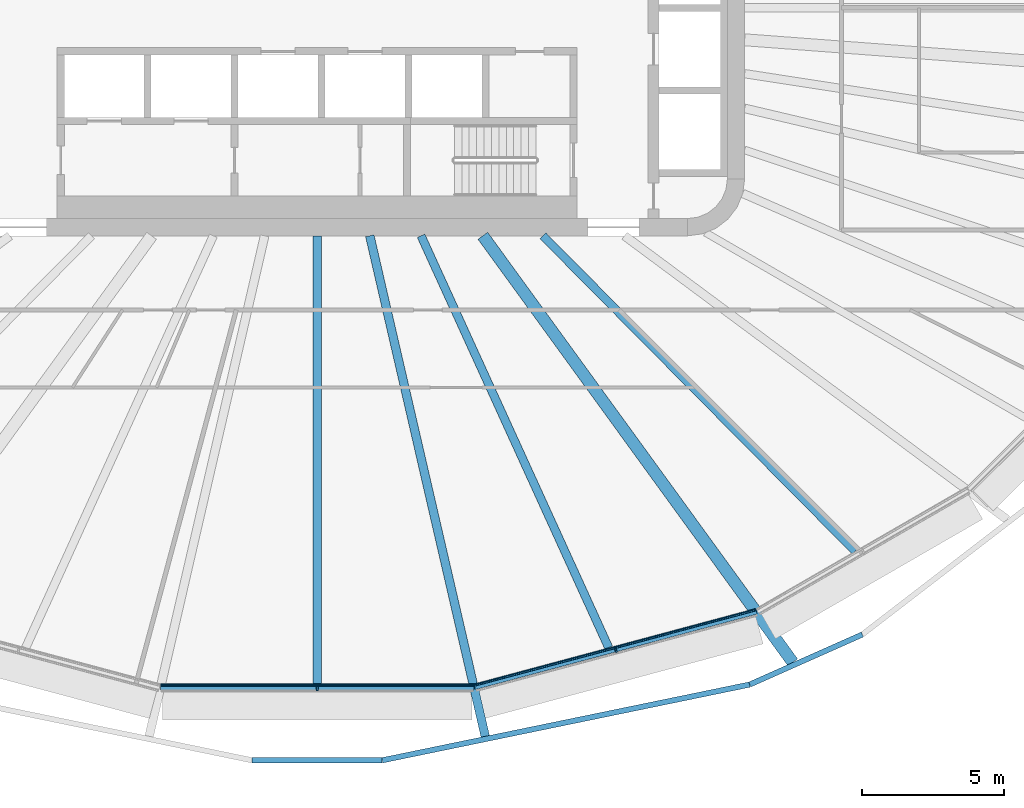
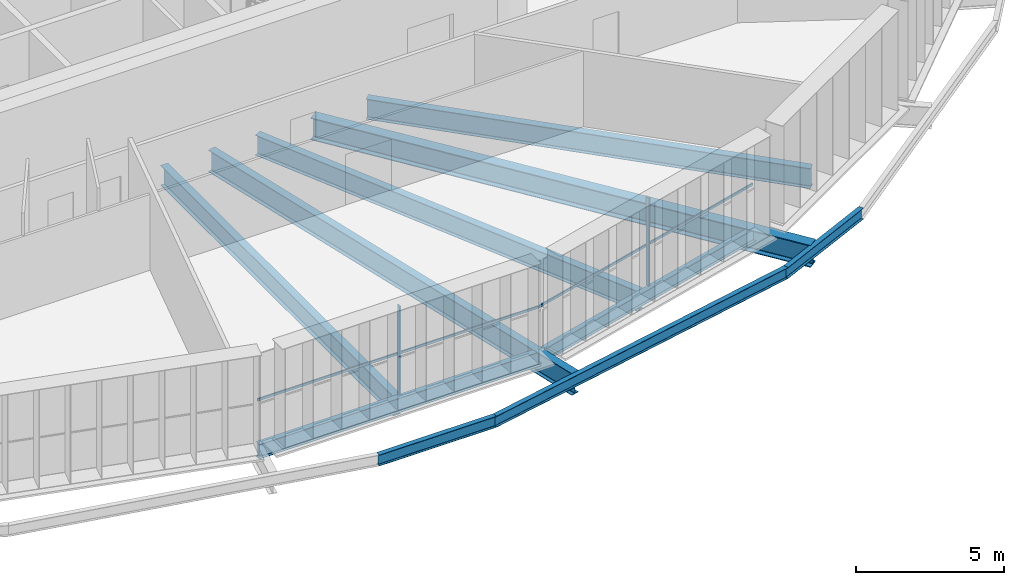
# One storey, part 4 of 25: 10 beams, 4 members, 2 elements without a shape of their own.
"""IFC4 building model written with IfcOpenShell, lengths in metres."""

from ifc_helpers import new_model, si_unit, direction, frame, origin, origin_2d, place, context, subcontext, project, spatial, rectangle, i_section, extrude, material, layer, layer_set, material_profile, profile_set, type_object, element, aggregate, save


model = new_model("IFC4")

# Units and contexts
model_context = context("Model", 3, precision=1e-05, world=origin(), true_north=direction((0.0, 1.0)))
body_context = subcontext(model_context, "Body", "Model", "MODEL_VIEW")
ifc_project = project(units=[si_unit("LENGTHUNIT", "METRE"), si_unit("AREAUNIT", "SQUARE_METRE"), si_unit("VOLUMEUNIT", "CUBIC_METRE"), si_unit("PLANEANGLEUNIT", "RADIAN"), si_unit("MASSUNIT", "GRAM", prefix="KILO")], contexts=[model_context])

# Site, building, storey
site_placement = place(None, origin())
site = spatial("IfcSite", under=ifc_project, at=site_placement, CompositionType="ELEMENT")
building_placement = place(site_placement, origin())
building = spatial("IfcBuilding", under=site, at=building_placement, Name="Sahrelin Media Tower", CompositionType="ELEMENT")
storey_placement = place(building_placement, frame((0.0, 0.0, 110.39990234375)))
storey = spatial("IfcBuildingStorey", under=building, at=storey_placement, Name="L21", CompositionType="ELEMENT", Elevation=110.39990234375)

# Beams
ifc_material_1 = material(Name="Steel S355", Category="steel")
ifc_material_profile_1 = material_profile(ifc_material_1, i_section(OverallWidth=0.208740234375, OverallDepth=0.5283203125, WebThickness=0.009521484375, FlangeThickness=0.01318359375, FilletRadius=0.0126953125, at=origin_2d()), Name="UB 533x210x82")
ifc_profile_set_1 = profile_set([ifc_material_profile_1], Name="Steel S355")
beam_type_1 = type_object("IfcBeamType", Name="Edge beam EB6", PredefinedType="BEAM", material=ifc_profile_set_1)
beam_1_placement = place(storey_placement, frame((15.41162109375, -21.17431640625, -0.4140625), z_axis=(-0.965929419345, -0.258805635261, 0.0), x_axis=(0.258805635261, -0.965929419345, 0.0)))
element("IfcBeam", 1, at=beam_1_placement, inside=storey, type_object=beam_type_1, Name="Edge beam L21-06", PredefinedType="BEAM", context=body_context, shape_type="SweptSolid", body=[
    extrude(i_section(OverallWidth=0.208740234375, OverallDepth=0.5283203125, WebThickness=0.009521484375, FlangeThickness=0.01318359375, FilletRadius=0.0126953125, at=origin_2d()), origin(), (0.0, 0.0, 1.0), 10.235107421875),
])
ifc_material_profile_2 = material_profile(ifc_material_1, i_section(OverallWidth=0.2275390625, OverallDepth=0.6025390625, WebThickness=0.010498046875, FlangeThickness=0.014892578125, FilletRadius=0.0126953125, at=origin_2d()), Name="UB 610x229x101")
ifc_profile_set_2 = profile_set([ifc_material_profile_2], Name="Steel S355")
beam_type_2 = type_object("IfcBeamType", Name="Edge beam EB7", PredefinedType="BEAM", material=ifc_profile_set_2)
beam_2_placement = place(storey_placement, frame((5.49658203125, -23.8271484375, -0.451171875), z_axis=(-1.0, 0.0, 0.0), x_axis=(0.0, -1.0, 0.0)))
element("IfcBeam", 2, at=beam_2_placement, inside=storey, type_object=beam_type_2, Name="Edge beam L21-07", PredefinedType="BEAM", context=body_context, shape_type="SweptSolid", body=[
    extrude(i_section(OverallWidth=0.2275390625, OverallDepth=0.6025390625, WebThickness=0.010498046875, FlangeThickness=0.014892578125, FilletRadius=0.0126953125, at=origin_2d()), origin(), (0.0, 0.0, 1.0), 10.9931640625),
])

# Curtain wall, member
ifc_material_2 = material(Name="Champagne anodised aluminium 6063-T6", Category="aluminium")
ifc_layer = layer(ifc_material_2, 0.14990234375)
ifc_layer_set = layer_set([ifc_layer], Name="Tower ribbon curtain wall")
curtain_wall_type = type_object("IfcCurtainWallType", Name="Tower ribbon curtain wall", PredefinedType="NOTDEFINED", material=ifc_layer_set)
curtain_wall_1_placement = place(storey_placement, frame((0.0, -23.97705078125, 0.0), z_axis=(0.0, 0.0, 1.0), x_axis=(1.0, 0.0, 0.0)))
curtain_wall_1 = element("IfcCurtainWall", 3, at=curtain_wall_1_placement, inside=storey, type_object=curtain_wall_type, Name="L21:CW:L21-18", PredefinedType="NOTDEFINED")
ifc_material_profile_3 = material_profile(ifc_material_2, rectangle(XDim=0.06005859375, YDim=0.14990234375, at=origin_2d()), Name="Mullion 60x150")
ifc_profile_set_3 = profile_set([ifc_material_profile_3], Name="Champagne anodised aluminium 6063-T6")
member_type_1 = type_object("IfcMemberType", Name="Mullion 60x150 CW1", PredefinedType="MULLION", material=ifc_profile_set_3)
member_1_placement = place(storey_placement, frame((0.0, -23.882080078125, 0.0), z_axis=(0.0, 0.0, 1.0), x_axis=(1.0, 0.0, 0.0)))
member_1 = element("IfcMember", 4, at=member_1_placement, type_object=member_type_1, Name="L21:CWM:L21-18", PredefinedType="MULLION", context=body_context, shape_type="SweptSolid", body=[
    extrude(rectangle(XDim=0.06005859375, YDim=0.14990234375, at=origin_2d()), origin(), (0.0, 0.0, 1.0), 3.648681640625),
])

curtain_wall_2_placement = place(storey_placement, frame((10.50732421875, -22.643798828125, 0.0), z_axis=(0.0, 0.0, 1.0), x_axis=(1.0, 0.0, 0.0)))
curtain_wall_2 = element("IfcCurtainWall", 5, at=curtain_wall_2_placement, inside=storey, type_object=curtain_wall_type, Name="L21:CW:L21-19", PredefinedType="NOTDEFINED")
member_2_placement = place(storey_placement, frame((10.482666015625, -22.552001953125, 0.0), z_axis=(0.0, 0.0, 1.0), x_axis=(0.965926278012, 0.258817359244, 0.0)))
member_2 = element("IfcMember", 6, at=member_2_placement, type_object=member_type_1, Name="L21:CWM:L21-19", PredefinedType="MULLION", context=body_context, shape_type="SweptSolid", body=[
    extrude(rectangle(XDim=0.06005859375, YDim=0.14990234375, at=origin_2d()), origin(), (0.0, 0.0, 1.0), 3.648681640625),
])

# Beams
ifc_material_profile_4 = material_profile(ifc_material_1, i_section(OverallWidth=0.30322265625, OverallDepth=0.903076171875, WebThickness=0.01513671875, FlangeThickness=0.020263671875, FilletRadius=0.01904296875, at=origin_2d()), Name="UB 914x305x201")
ifc_profile_set_4 = profile_set([ifc_material_profile_4], Name="Steel S355")
beam_type_3 = type_object("IfcBeamType", Name="Radial primary beam PB11", PredefinedType="BEAM", material=ifc_profile_set_4)
beam_3_placement = place(storey_placement, frame((1.845458984375, -8.0, -0.601318359375), z_axis=(0.224769488675, -0.974411964705, 0.0), x_axis=(0.974411964705, 0.224769488675, 0.0)))
element("IfcBeam", 7, at=beam_3_placement, inside=storey, type_object=beam_type_3, Name="Radial beam L21-19", PredefinedType="BEAM", context=body_context, shape_type="SweptSolid", body=[
    extrude(i_section(OverallWidth=0.30322265625, OverallDepth=0.903076171875, WebThickness=0.01513671875, FlangeThickness=0.020263671875, FilletRadius=0.01904296875, at=origin_2d()), origin(), (0.0, 0.0, 1.0), 18.025146484375),
])
ifc_material_profile_5 = material_profile(ifc_material_1, i_section(OverallWidth=0.41845703125, OverallDepth=0.911865234375, WebThickness=0.019287109375, FlangeThickness=0.031982421875, FilletRadius=0.024169921875, at=origin_2d()), Name="UB 914x419x343")
ifc_profile_set_5 = profile_set([ifc_material_profile_5], Name="Steel S355")
beam_type_4 = type_object("IfcBeamType", Name="Radial primary beam PB12", PredefinedType="BEAM", material=ifc_profile_set_5)
beam_4_placement = place(storey_placement, frame((5.8125, -8.0, -0.605712890625), z_axis=(0.587808442144, -0.809000145454, 0.0), x_axis=(0.809000145454, 0.587808442144, 0.0)))
element("IfcBeam", 8, at=beam_4_placement, inside=storey, type_object=beam_type_4, Name="Radial beam L21-20", PredefinedType="BEAM", context=body_context, shape_type="SweptSolid", body=[
    extrude(i_section(OverallWidth=0.41845703125, OverallDepth=0.911865234375, WebThickness=0.019287109375, FlangeThickness=0.031982421875, FilletRadius=0.024169921875, at=origin_2d()), origin(), (0.0, 0.0, 1.0), 18.505615234375),
])
ifc_material_profile_6 = material_profile(ifc_material_1, i_section(OverallWidth=0.291748046875, OverallDepth=0.8349609375, WebThickness=0.013916015625, FlangeThickness=0.018798828125, FilletRadius=0.017822265625, at=origin_2d()), Name="UB 838x292x176")
ifc_profile_set_6 = profile_set([ifc_material_profile_6], Name="Steel S355")
beam_type_5 = type_object("IfcBeamType", Name="Radial secondary beam SB10", PredefinedType="BEAM", material=ifc_profile_set_6)
beam_5_placement = place(storey_placement, frame((0.0, -8.0, -0.5673828125), z_axis=(0.0, -1.0, 0.0), x_axis=(1.0, 0.0, 0.0)))
element("IfcBeam", 9, at=beam_5_placement, inside=storey, type_object=beam_type_5, Name="Secondary beam L21-18", PredefinedType="BEAM", context=body_context, shape_type="SweptSolid", body=[
    extrude(i_section(OverallWidth=0.291748046875, OverallDepth=0.8349609375, WebThickness=0.013916015625, FlangeThickness=0.018798828125, FilletRadius=0.017822265625, at=origin_2d()), origin(), (0.0, 0.0, 1.0), 15.71337890625),
])
beam_6_placement = place(storey_placement, frame((3.64501953125, -8.0, -0.5673828125), z_axis=(0.414626132753, -0.909991851633, 0.0), x_axis=(0.909991851633, 0.414626132753, 0.0)))
element("IfcBeam", 10, at=beam_6_placement, inside=storey, type_object=beam_type_5, Name="Secondary beam L21-19", PredefinedType="BEAM", context=body_context, shape_type="SweptSolid", body=[
    extrude(i_section(OverallWidth=0.291748046875, OverallDepth=0.8349609375, WebThickness=0.013916015625, FlangeThickness=0.018798828125, FilletRadius=0.017822265625, at=origin_2d()), origin(), (0.0, 0.0, 1.0), 15.884033203125),
])
beam_7_placement = place(storey_placement, frame((7.92138671875, -8.0, -0.5673828125), z_axis=(0.703602310212, -0.7105939692, 0.0), x_axis=(0.7105939692, 0.703602310212, 0.0)))
element("IfcBeam", 11, at=beam_7_placement, inside=storey, type_object=beam_type_5, Name="Secondary beam L21-20", PredefinedType="BEAM", context=body_context, shape_type="SweptSolid", body=[
    extrude(i_section(OverallWidth=0.291748046875, OverallDepth=0.8349609375, WebThickness=0.013916015625, FlangeThickness=0.018798828125, FilletRadius=0.017822265625, at=origin_2d()), origin(), (0.0, 0.0, 1.0), 15.57373046875),
])
ifc_material_profile_7 = material_profile(ifc_material_1, i_section(OverallWidth=0.1904296875, OverallDepth=0.45703125, WebThickness=0.009033203125, FlangeThickness=0.014404296875, FilletRadius=0.01025390625, at=origin_2d()), Name="UB 457x191x74")
ifc_profile_set_7 = profile_set([ifc_material_profile_7], Name="Steel S355")
beam_type_6 = type_object("IfcBeamType", Name="Tie chord TC5", PredefinedType="BEAM", material=ifc_profile_set_7)
beam_8_placement = place(storey_placement, frame((-2.281005859375, -26.40673828125, -0.37841796875), z_axis=(1.0, 0.0, 0.0), x_axis=(0.0, 1.0, 0.0)))
element("IfcBeam", 12, at=beam_8_placement, inside=storey, type_object=beam_type_6, Name="Tie chord L21-18", PredefinedType="BEAM", context=body_context, shape_type="SweptSolid", body=[
    extrude(i_section(OverallWidth=0.1904296875, OverallDepth=0.45703125, WebThickness=0.009033203125, FlangeThickness=0.014404296875, FilletRadius=0.01025390625, at=origin_2d()), origin(), (0.0, 0.0, 1.0), 4.56201171875),
])
beam_9_placement = place(storey_placement, frame((2.281005859375, -26.40673828125, -0.37841796875), z_axis=(0.979388707477, 0.201984553039, 0.0), x_axis=(-0.201984553039, 0.979388707477, 0.0)))
element("IfcBeam", 13, at=beam_9_placement, inside=storey, type_object=beam_type_6, Name="Tie chord L21-19", PredefinedType="BEAM", context=body_context, shape_type="SweptSolid", body=[
    extrude(i_section(OverallWidth=0.1904296875, OverallDepth=0.45703125, WebThickness=0.009033203125, FlangeThickness=0.014404296875, FilletRadius=0.01025390625, at=origin_2d()), origin(), (0.0, 0.0, 1.0), 13.1689453125),
])
beam_10_placement = place(storey_placement, frame((15.178466796875, -23.746826171875, -0.37841796875), z_axis=(0.913841818255, 0.406070352535, 0.0), x_axis=(-0.406070352535, 0.913841818255, 0.0)))
element("IfcBeam", 14, at=beam_10_placement, inside=storey, type_object=beam_type_6, Name="Tie chord L21-20", PredefinedType="BEAM", context=body_context, shape_type="SweptSolid", body=[
    extrude(i_section(OverallWidth=0.1904296875, OverallDepth=0.45703125, WebThickness=0.009033203125, FlangeThickness=0.014404296875, FilletRadius=0.01025390625, at=origin_2d()), origin(), (0.0, 0.0, 1.0), 4.323486328125),
])

# Member
ifc_material_profile_8 = material_profile(ifc_material_2, rectangle(XDim=0.050048828125, YDim=0.10009765625, at=origin_2d()), Name="Transom 50x100")
ifc_profile_set_8 = profile_set([ifc_material_profile_8], Name="Champagne anodised aluminium 6063-T6")
member_type_2 = type_object("IfcMemberType", Name="Transom 50x100 CW1", PredefinedType="USERDEFINED", material=ifc_profile_set_8)
member_3_placement = place(storey_placement, frame((-5.48095703125, -23.781982421875, 1.60009765625), z_axis=(1.0, 0.0, 0.0), x_axis=(0.0, 1.0, 0.0)))
member_3 = element("IfcMember", 15, at=member_3_placement, type_object=member_type_2, Name="L21:CWT:L21-18", ObjectType="TRANSOM", PredefinedType="USERDEFINED", context=body_context, shape_type="SweptSolid", body=[
    extrude(rectangle(XDim=0.050048828125, YDim=0.10009765625, at=origin_2d()), origin(), (0.0, 0.0, 1.0), 10.9619140625),
])

aggregate(curtain_wall_1, [member_1, member_3])

member_4_placement = place(storey_placement, frame((5.52880859375, -23.77587890625, 1.60009765625), z_axis=(0.965926477685, 0.258816614048, 0.0), x_axis=(-0.258816614048, 0.965926477685, 0.0)))
member_4 = element("IfcMember", 16, at=member_4_placement, type_object=member_type_2, Name="L21:CWT:L21-19", ObjectType="TRANSOM", PredefinedType="USERDEFINED", context=body_context, shape_type="SweptSolid", body=[
    extrude(rectangle(XDim=0.050048828125, YDim=0.10009765625, at=origin_2d()), origin(), (0.0, 0.0, 1.0), 10.20361328125),
])

aggregate(curtain_wall_2, [member_2, member_4])

save(model, "model.ifc")
